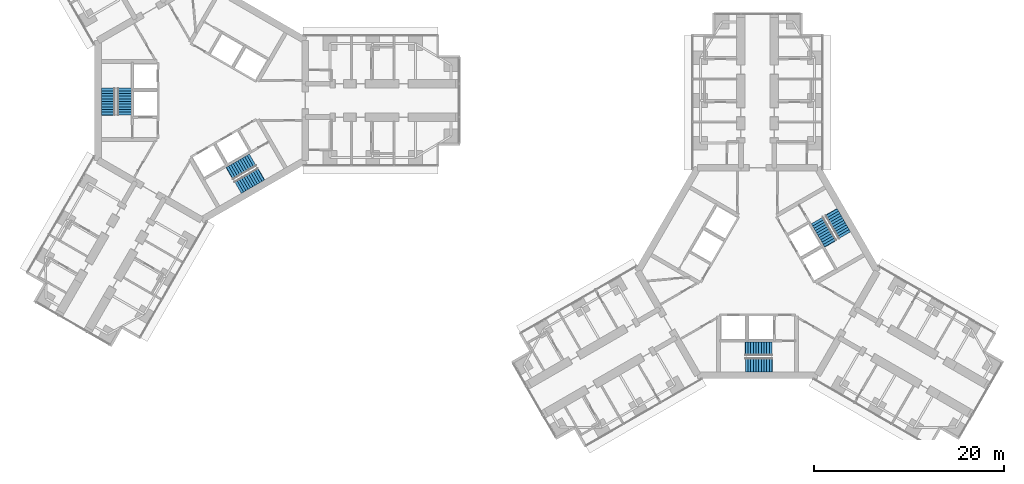
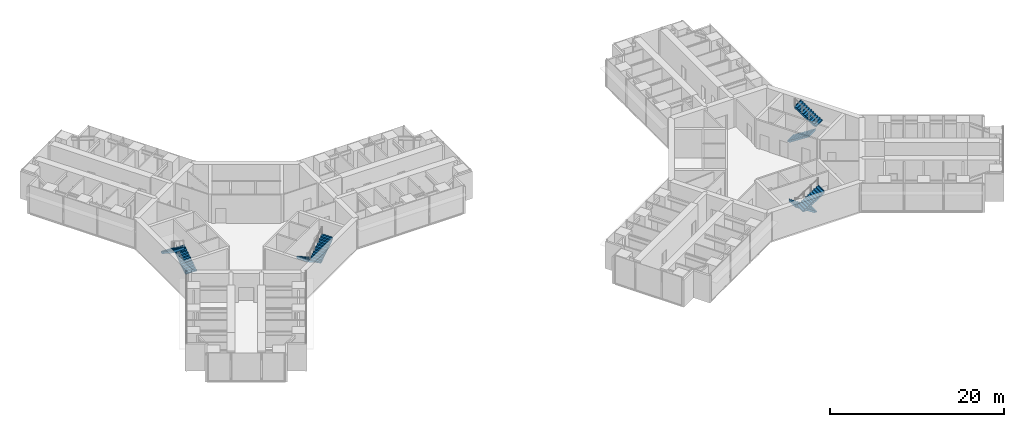
# One storey, part 23 of 24: 8 stair flights, 4 elements without a shape of their own.
"""IFC4 building model written with IfcOpenShell, lengths in metres."""

from ifc_helpers import new_model, si_unit, direction, frame, origin, place, context, subcontext, project, spatial, polyline, outline, extrude, material, type_object, element, aggregate, save


model = new_model("IFC4")

# Units and contexts
model_context = context("Model", 3, precision=1e-05, world=origin(), true_north=direction((0.0, 1.0)))
body_context = subcontext(model_context, "Body", "Model", "MODEL_VIEW")
ifc_project = project(units=[si_unit("LENGTHUNIT", "METRE"), si_unit("AREAUNIT", "SQUARE_METRE"), si_unit("VOLUMEUNIT", "CUBIC_METRE"), si_unit("PLANEANGLEUNIT", "RADIAN"), si_unit("MASSUNIT", "GRAM", prefix="KILO")], contexts=[model_context])

# Site, building, storey
site_placement = place(None, origin())
site = spatial("IfcSite", under=ifc_project, at=site_placement, CompositionType="ELEMENT")
building_placement = place(site_placement, origin())
building = spatial("IfcBuilding", under=site, at=building_placement, Name="Upepo Twin Towers", CompositionType="ELEMENT")
storey_placement = place(building_placement, frame((0.0, 0.0, 60.5)))
storey = spatial("IfcBuildingStorey", under=building, at=storey_placement, Name="L14", CompositionType="ELEMENT", Elevation=60.5)

# Stair, stair flights
ifc_material_1 = material(Name="Concrete C40/50", Category="concrete")
stair_type = type_object("IfcStairType", Name="Core stair, two flights", PredefinedType="HALF_TURN_STAIR", material=ifc_material_1)
stair_1_placement = place(storey_placement, origin())
stair_1 = element("IfcStair", 1, at=stair_1_placement, inside=storey, type_object=stair_type, Name="T1 stair S1 L14", PredefinedType="HALF_TURN_STAIR")
ifc_material_2 = material(Name="Concrete C40/50", Category="concrete")
stair_flight_type = type_object("IfcStairFlightType", Name="Stair flight 1450 RC", PredefinedType="STRAIGHT", material=ifc_material_2)
stair_flight_1_placement = place(storey_placement, frame((-8.125, -1.52001953125, 0.0), z_axis=(0.0, 0.0, 1.0), x_axis=(0.0, 1.0, 0.0)))
stair_flight_1 = element("IfcStairFlight", 2, at=stair_flight_1_placement, type_object=stair_flight_type, Name="Stair S1 flight 1", NumberOfRisers=11, NumberOfTreads=10, PredefinedType="STRAIGHT", RiserHeight=0.181818182, TreadLength=0.28, context=body_context, shape_type="SweptSolid", body=[
    extrude(outline(polyline([(0.0, 0.0), (0.0, 0.181884765625), (0.280029296875, 0.181884765625), (0.280029296875, 0.363525390625), (0.56005859375, 0.363525390625), (0.56005859375, 0.54541015625), (0.840087890625, 0.54541015625), (0.840087890625, 0.727294921875), (1.1201171875, 0.727294921875), (1.1201171875, 0.9091796875), (1.39990234375, 0.9091796875), (1.39990234375, 1.0908203125), (1.679931640625, 1.0908203125), (1.679931640625, 1.272705078125), (1.9599609375, 1.272705078125), (1.9599609375, 1.45458984375), (2.239990234375, 1.45458984375), (2.239990234375, 1.636474609375), (2.52001953125, 1.636474609375), (2.52001953125, 1.818115234375), (2.800048828125, 1.818115234375), (2.800048828125, 2.0), (2.85009765625, 2.0), (2.85009765625, 1.639404296875), (0.3251953125, 0.0), (0.0, 0.0)])), frame((0.0, 0.72509765625, 0.0), z_axis=(0.0, -1.0, 0.0), x_axis=(1.0, 0.0, 0.0)), (0.0, 0.0, 1.0), 1.449951171875),
])
stair_flight_2_placement = place(storey_placement, frame((-9.833251953125, 1.280029296875, 2.0), z_axis=(0.0, 0.0, 1.0), x_axis=(0.0, -1.0, 0.0)))
stair_flight_2 = element("IfcStairFlight", 3, at=stair_flight_2_placement, type_object=stair_flight_type, Name="Stair S1 flight 2", NumberOfRisers=11, NumberOfTreads=10, PredefinedType="STRAIGHT", RiserHeight=0.181818182, TreadLength=0.28, context=body_context, shape_type="SweptSolid", body=[
    extrude(outline(polyline([(0.0, 0.0), (0.0, 0.181884765625), (0.280029296875, 0.181884765625), (0.280029296875, 0.363525390625), (0.56005859375, 0.363525390625), (0.56005859375, 0.54541015625), (0.840087890625, 0.54541015625), (0.840087890625, 0.727294921875), (1.1201171875, 0.727294921875), (1.1201171875, 0.9091796875), (1.39990234375, 0.9091796875), (1.39990234375, 1.0908203125), (1.679931640625, 1.0908203125), (1.679931640625, 1.272705078125), (1.9599609375, 1.272705078125), (1.9599609375, 1.45458984375), (2.239990234375, 1.45458984375), (2.239990234375, 1.636474609375), (2.52001953125, 1.636474609375), (2.52001953125, 1.818115234375), (2.800048828125, 1.818115234375), (2.800048828125, 2.0), (2.85009765625, 2.0), (2.85009765625, 1.639404296875), (0.3251953125, 0.0), (0.0, 0.0)])), frame((0.0, 0.72509765625, 0.0), z_axis=(0.0, -1.0, 0.0), x_axis=(1.0, 0.0, 0.0)), (0.0, 0.0, 1.0), 1.449951171875),
])
aggregate(stair_1, [stair_flight_1, stair_flight_2])

stair_2_placement = place(storey_placement, origin())
stair_2 = element("IfcStair", 4, at=stair_2_placement, inside=storey, type_object=stair_type, Name="T1 stair S2 L14", PredefinedType="HALF_TURN_STAIR")
stair_flight_3_placement = place(storey_placement, frame((5.37890625, -6.2763671875, 0.0), z_axis=(0.0, 0.0, 1.0), x_axis=(-0.866025403784, -0.5, 0.0)))
stair_flight_3 = element("IfcStairFlight", 5, at=stair_flight_3_placement, type_object=stair_flight_type, Name="Stair S2 flight 1", NumberOfRisers=11, NumberOfTreads=10, PredefinedType="STRAIGHT", RiserHeight=0.181818182, TreadLength=0.28, context=body_context, shape_type="SweptSolid", body=[
    extrude(outline(polyline([(0.0, 0.0), (0.0, 0.181884765625), (0.280029296875, 0.181884765625), (0.280029296875, 0.363525390625), (0.56005859375, 0.363525390625), (0.56005859375, 0.54541015625), (0.840087890625, 0.54541015625), (0.840087890625, 0.727294921875), (1.1201171875, 0.727294921875), (1.1201171875, 0.9091796875), (1.39990234375, 0.9091796875), (1.39990234375, 1.0908203125), (1.679931640625, 1.0908203125), (1.679931640625, 1.272705078125), (1.9599609375, 1.272705078125), (1.9599609375, 1.45458984375), (2.239990234375, 1.45458984375), (2.239990234375, 1.636474609375), (2.52001953125, 1.636474609375), (2.52001953125, 1.818115234375), (2.800048828125, 1.818115234375), (2.800048828125, 2.0), (2.85009765625, 2.0), (2.85009765625, 1.639404296875), (0.3251953125, 0.0), (0.0, 0.0)])), frame((0.0, 0.72509765625, 0.0), z_axis=(0.0, -1.0, 0.0), x_axis=(1.0, 0.0, 0.0)), (0.0, 0.0, 1.0), 1.449951171875),
])
stair_flight_4_placement = place(storey_placement, frame((3.80810546875, -9.156005859375, 2.0), z_axis=(0.0, 0.0, 1.0), x_axis=(0.866025403784, 0.5, 0.0)))
stair_flight_4 = element("IfcStairFlight", 6, at=stair_flight_4_placement, type_object=stair_flight_type, Name="Stair S2 flight 2", NumberOfRisers=11, NumberOfTreads=10, PredefinedType="STRAIGHT", RiserHeight=0.181818182, TreadLength=0.28, context=body_context, shape_type="SweptSolid", body=[
    extrude(outline(polyline([(0.0, 0.0), (0.0, 0.181884765625), (0.280029296875, 0.181884765625), (0.280029296875, 0.363525390625), (0.56005859375, 0.363525390625), (0.56005859375, 0.54541015625), (0.840087890625, 0.54541015625), (0.840087890625, 0.727294921875), (1.1201171875, 0.727294921875), (1.1201171875, 0.9091796875), (1.39990234375, 0.9091796875), (1.39990234375, 1.0908203125), (1.679931640625, 1.0908203125), (1.679931640625, 1.272705078125), (1.9599609375, 1.272705078125), (1.9599609375, 1.45458984375), (2.239990234375, 1.45458984375), (2.239990234375, 1.636474609375), (2.52001953125, 1.636474609375), (2.52001953125, 1.818115234375), (2.800048828125, 1.818115234375), (2.800048828125, 2.0), (2.85009765625, 2.0), (2.85009765625, 1.639404296875), (0.3251953125, 0.0), (0.0, 0.0)])), frame((0.0, 0.72509765625, 0.0), z_axis=(0.0, -1.0, 0.0), x_axis=(1.0, 0.0, 0.0)), (0.0, 0.0, 1.0), 1.449951171875),
])
aggregate(stair_2, [stair_flight_3, stair_flight_4])

stair_3_placement = place(storey_placement, origin())
stair_3 = element("IfcStair", 7, at=stair_3_placement, inside=storey, type_object=stair_type, Name="T2 stair S1 L14", PredefinedType="HALF_TURN_STAIR")
stair_flight_5_placement = place(storey_placement, frame((60.02001953125, -26.125, 0.0), z_axis=(0.0, 0.0, 1.0), x_axis=(-1.0, 0.0, 0.0)))
stair_flight_5 = element("IfcStairFlight", 8, at=stair_flight_5_placement, type_object=stair_flight_type, Name="Stair S1 flight 1", NumberOfRisers=11, NumberOfTreads=10, PredefinedType="STRAIGHT", RiserHeight=0.181818182, TreadLength=0.28, context=body_context, shape_type="SweptSolid", body=[
    extrude(outline(polyline([(0.0, 0.0), (0.0, 0.181884765625), (0.280029296875, 0.181884765625), (0.280029296875, 0.363525390625), (0.56005859375, 0.363525390625), (0.56005859375, 0.54541015625), (0.840087890625, 0.54541015625), (0.840087890625, 0.727294921875), (1.1201171875, 0.727294921875), (1.1201171875, 0.9091796875), (1.39990234375, 0.9091796875), (1.39990234375, 1.0908203125), (1.679931640625, 1.0908203125), (1.679931640625, 1.272705078125), (1.9599609375, 1.272705078125), (1.9599609375, 1.45458984375), (2.239990234375, 1.45458984375), (2.239990234375, 1.636474609375), (2.52001953125, 1.636474609375), (2.52001953125, 1.818115234375), (2.800048828125, 1.818115234375), (2.800048828125, 2.0), (2.85009765625, 2.0), (2.85009765625, 1.639404296875), (0.3251953125, 0.0), (0.0, 0.0)])), frame((0.0, 0.72509765625, 0.0), z_axis=(0.0, -1.0, 0.0), x_axis=(1.0, 0.0, 0.0)), (0.0, 0.0, 1.0), 1.449951171875),
])
stair_flight_6_placement = place(storey_placement, frame((57.219970703125, -27.833251953125, 2.0), z_axis=(0.0, 0.0, 1.0), x_axis=(1.0, 0.0, 0.0)))
stair_flight_6 = element("IfcStairFlight", 9, at=stair_flight_6_placement, type_object=stair_flight_type, Name="Stair S1 flight 2", NumberOfRisers=11, NumberOfTreads=10, PredefinedType="STRAIGHT", RiserHeight=0.181818182, TreadLength=0.28, context=body_context, shape_type="SweptSolid", body=[
    extrude(outline(polyline([(0.0, 0.0), (0.0, 0.181884765625), (0.280029296875, 0.181884765625), (0.280029296875, 0.363525390625), (0.56005859375, 0.363525390625), (0.56005859375, 0.54541015625), (0.840087890625, 0.54541015625), (0.840087890625, 0.727294921875), (1.1201171875, 0.727294921875), (1.1201171875, 0.9091796875), (1.39990234375, 0.9091796875), (1.39990234375, 1.0908203125), (1.679931640625, 1.0908203125), (1.679931640625, 1.272705078125), (1.9599609375, 1.272705078125), (1.9599609375, 1.45458984375), (2.239990234375, 1.45458984375), (2.239990234375, 1.636474609375), (2.52001953125, 1.636474609375), (2.52001953125, 1.818115234375), (2.800048828125, 1.818115234375), (2.800048828125, 2.0), (2.85009765625, 2.0), (2.85009765625, 1.639404296875), (0.3251953125, 0.0), (0.0, 0.0)])), frame((0.0, 0.72509765625, 0.0), z_axis=(0.0, -1.0, 0.0), x_axis=(1.0, 0.0, 0.0)), (0.0, 0.0, 1.0), 1.449951171875),
])
aggregate(stair_3, [stair_flight_5, stair_flight_6])

stair_4_placement = place(storey_placement, origin())
stair_4 = element("IfcStair", 10, at=stair_4_placement, inside=storey, type_object=stair_type, Name="T2 stair S2 L14", PredefinedType="HALF_TURN_STAIR")
stair_flight_7_placement = place(storey_placement, frame((64.7763671875, -12.62109375, 0.0), z_axis=(0.0, 0.0, 1.0), x_axis=(0.5, -0.866025403784, 0.0)))
stair_flight_7 = element("IfcStairFlight", 11, at=stair_flight_7_placement, type_object=stair_flight_type, Name="Stair S2 flight 1", NumberOfRisers=11, NumberOfTreads=10, PredefinedType="STRAIGHT", RiserHeight=0.181818182, TreadLength=0.28, context=body_context, shape_type="SweptSolid", body=[
    extrude(outline(polyline([(0.0, 0.0), (0.0, 0.181884765625), (0.280029296875, 0.181884765625), (0.280029296875, 0.363525390625), (0.56005859375, 0.363525390625), (0.56005859375, 0.54541015625), (0.840087890625, 0.54541015625), (0.840087890625, 0.727294921875), (1.1201171875, 0.727294921875), (1.1201171875, 0.9091796875), (1.39990234375, 0.9091796875), (1.39990234375, 1.0908203125), (1.679931640625, 1.0908203125), (1.679931640625, 1.272705078125), (1.9599609375, 1.272705078125), (1.9599609375, 1.45458984375), (2.239990234375, 1.45458984375), (2.239990234375, 1.636474609375), (2.52001953125, 1.636474609375), (2.52001953125, 1.818115234375), (2.800048828125, 1.818115234375), (2.800048828125, 2.0), (2.85009765625, 2.0), (2.85009765625, 1.639404296875), (0.3251953125, 0.0), (0.0, 0.0)])), frame((0.0, 0.72509765625, 0.0), z_axis=(0.0, -1.0, 0.0), x_axis=(1.0, 0.0, 0.0)), (0.0, 0.0, 1.0), 1.449951171875),
])
stair_flight_8_placement = place(storey_placement, frame((67.656005859375, -14.19189453125, 2.0), z_axis=(0.0, 0.0, 1.0), x_axis=(-0.5, 0.866025403784, 0.0)))
stair_flight_8 = element("IfcStairFlight", 12, at=stair_flight_8_placement, type_object=stair_flight_type, Name="Stair S2 flight 2", NumberOfRisers=11, NumberOfTreads=10, PredefinedType="STRAIGHT", RiserHeight=0.181818182, TreadLength=0.28, context=body_context, shape_type="SweptSolid", body=[
    extrude(outline(polyline([(0.0, 0.0), (0.0, 0.181884765625), (0.280029296875, 0.181884765625), (0.280029296875, 0.363525390625), (0.56005859375, 0.363525390625), (0.56005859375, 0.54541015625), (0.840087890625, 0.54541015625), (0.840087890625, 0.727294921875), (1.1201171875, 0.727294921875), (1.1201171875, 0.9091796875), (1.39990234375, 0.9091796875), (1.39990234375, 1.0908203125), (1.679931640625, 1.0908203125), (1.679931640625, 1.272705078125), (1.9599609375, 1.272705078125), (1.9599609375, 1.45458984375), (2.239990234375, 1.45458984375), (2.239990234375, 1.636474609375), (2.52001953125, 1.636474609375), (2.52001953125, 1.818115234375), (2.800048828125, 1.818115234375), (2.800048828125, 2.0), (2.85009765625, 2.0), (2.85009765625, 1.639404296875), (0.3251953125, 0.0), (0.0, 0.0)])), frame((0.0, 0.72509765625, 0.0), z_axis=(0.0, -1.0, 0.0), x_axis=(1.0, 0.0, 0.0)), (0.0, 0.0, 1.0), 1.449951171875),
])
aggregate(stair_4, [stair_flight_7, stair_flight_8])

save(model, "model.ifc")
